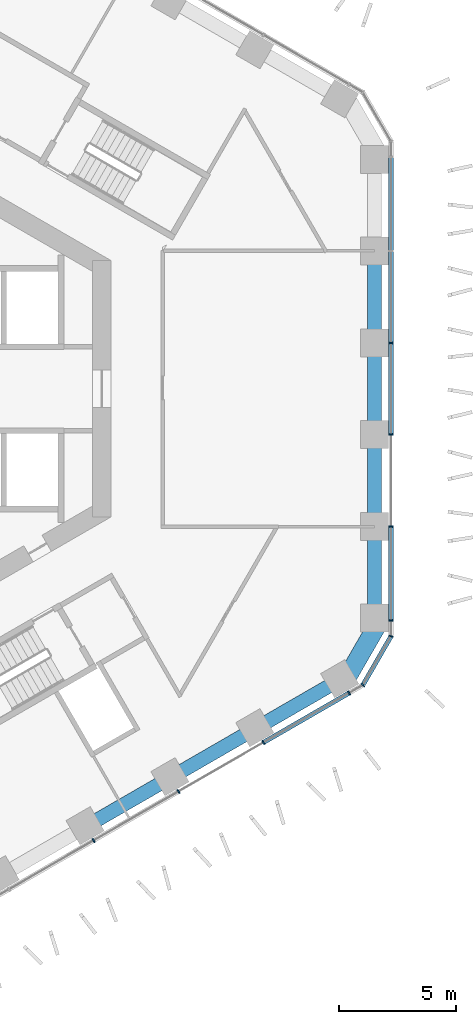
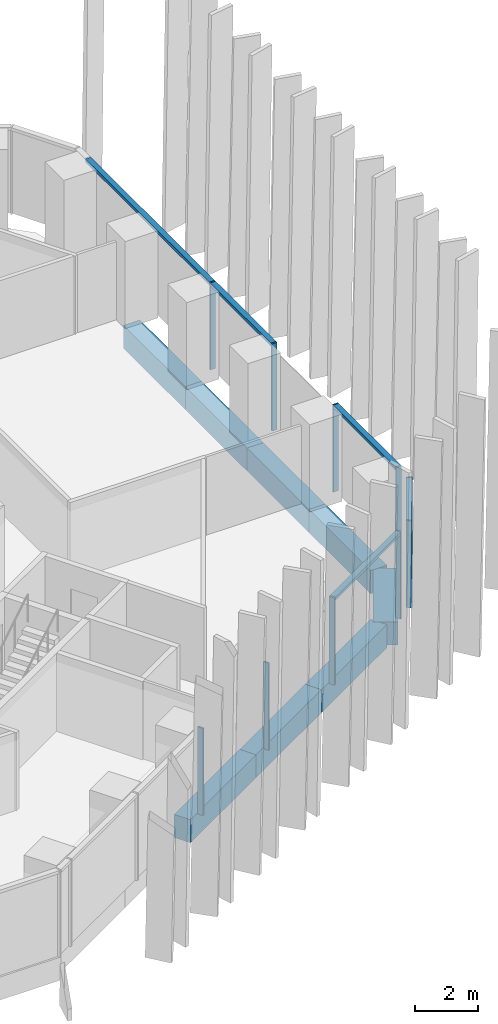
# One storey, part 5 of 19: 14 members, 8 beams, 3 elements without a shape of their own.
"""IFC4 building model written with IfcOpenShell, lengths in metres."""

from ifc_helpers import new_model, si_unit, direction, frame, origin, origin_2d, place, context, subcontext, project, spatial, rectangle, extrude, material, layer, layer_set, material_profile, profile_set, type_object, element, aggregate, save


model = new_model("IFC4")

# Units and contexts
model_context = context("Model", 3, precision=1e-05, world=origin(), true_north=direction((0.0, 1.0)))
body_context = subcontext(model_context, "Body", "Model", "MODEL_VIEW")
ifc_project = project(units=[si_unit("LENGTHUNIT", "METRE"), si_unit("AREAUNIT", "SQUARE_METRE"), si_unit("VOLUMEUNIT", "CUBIC_METRE"), si_unit("PLANEANGLEUNIT", "RADIAN"), si_unit("MASSUNIT", "GRAM", prefix="KILO")], contexts=[model_context])

# Site, building, storey
site_placement = place(None, origin())
site = spatial("IfcSite", under=ifc_project, at=site_placement, CompositionType="ELEMENT")
building_placement = place(site_placement, origin())
building = spatial("IfcBuilding", under=site, at=building_placement, Name="Ayvan Gate Tower", CompositionType="ELEMENT")
storey_placement = place(building_placement, frame((0.0, 0.0, 45.89990234375)))
storey = spatial("IfcBuildingStorey", under=building, at=storey_placement, Name="L11", CompositionType="ELEMENT", Elevation=45.89990234375)

# Beams
ifc_material_1 = material(Name="Concrete C40/50", Category="concrete")
ifc_material_profile_1 = material_profile(ifc_material_1, rectangle(XDim=0.800048828125, YDim=0.89990234375, at=origin_2d()), Name="RC 800x900")
ifc_profile_set_1 = profile_set([ifc_material_profile_1], Name="Concrete C40/50")
beam_type_1 = type_object("IfcBeamType", Name="Corner spandrel beam RC 800x900 C40/50", PredefinedType="BEAM", material=ifc_profile_set_1)
beam_1_placement = place(storey_placement, frame((19.47509765625, -12.5810546875, -0.7998046875), z_axis=(0.499990139034, 0.866031096941, 0.0), x_axis=(-0.866031096941, 0.499990139034, 0.0)))
element("IfcBeam", 1, at=beam_1_placement, inside=storey, type_object=beam_type_1, Name="SB-L11-36", PredefinedType="BEAM", context=body_context, shape_type="SweptSolid", body=[
    extrude(rectangle(XDim=0.800048828125, YDim=0.89990234375, at=origin_2d()), origin(), (0.0, 0.0, 1.0), 3.0),
])
ifc_material_profile_2 = material_profile(ifc_material_1, rectangle(XDim=0.60009765625, YDim=0.89990234375, at=origin_2d()), Name="RC 600x900")
ifc_profile_set_2 = profile_set([ifc_material_profile_2], Name="Concrete C40/50")
beam_type_2 = type_object("IfcBeamType", Name="Spandrel beam RC 600x900 C40/50", PredefinedType="BEAM", material=ifc_profile_set_2)
beam_2_placement = place(storey_placement, frame((20.78466796875, -9.872802734375, -0.7998046875), z_axis=(0.0, 1.0, 0.0), x_axis=(-1.0, 0.0, 0.0)))
element("IfcBeam", 2, at=beam_2_placement, inside=storey, type_object=beam_type_2, Name="SB-L11-1", PredefinedType="BEAM", context=body_context, shape_type="SweptSolid", body=[
    extrude(rectangle(XDim=0.60009765625, YDim=0.89990234375, at=origin_2d()), origin(), (0.0, 0.0, 1.0), 3.948974609375),
])
for number, where, z_axis, x_axis, name in (
    (3, (20.78466796875, -5.923828125, -0.7998046875), (0.0, 1.0, 0.0), (-1.0, 0.0, 0.0), "SB-L11-2"),
    (4, (20.78466796875, -1.974609375, -0.7998046875), (0.0, 1.0, 0.0), (-1.0, 0.0, 0.0), "SB-L11-3"),
    (5, (20.78466796875, 1.974609375, -0.7998046875), (0.0, 1.0, 0.0), (-1.0, 0.0, 0.0), "SB-L11-4"),
):
    element("IfcBeam", number, at=place(storey_placement, frame(where, z_axis=z_axis, x_axis=x_axis)), inside=storey, type_object=beam_type_2, Name=name, PredefinedType="BEAM", context=body_context, shape_type="SweptSolid", body=[
        extrude(rectangle(XDim=0.60009765625, YDim=0.89990234375, at=origin_2d()), origin(), (0.0, 0.0, 1.0), 3.94921875),
    ])
beam_3_placement = place(storey_placement, frame((8.40869140625, -18.750244140625, -0.7998046875), z_axis=(0.866027276312, 0.499996756672, 0.0), x_axis=(-0.499996756672, 0.866027276312, 0.0)))
element("IfcBeam", 6, at=beam_3_placement, inside=storey, type_object=beam_type_2, Name="SB-L11-33", PredefinedType="BEAM", context=body_context, shape_type="SweptSolid", body=[
    extrude(rectangle(XDim=0.60009765625, YDim=0.89990234375, at=origin_2d()), origin(), (0.0, 0.0, 1.0), 4.18603515625),
])
for number, where, z_axis, x_axis, name in (
    (7, (12.033935546875, -16.6572265625, -0.7998046875), (0.866002021773, 0.500040496645, 0.0), (-0.500040496645, 0.866002021773, 0.0), "SB-L11-34"),
    (8, (15.6591796875, -14.56396484375, -0.7998046875), (0.866041855584, 0.499971503564, 0.0), (-0.499971503564, 0.866041855584, 0.0), "SB-L11-35"),
):
    element("IfcBeam", number, at=place(storey_placement, frame(where, z_axis=z_axis, x_axis=x_axis)), inside=storey, type_object=beam_type_2, Name=name, PredefinedType="BEAM", context=body_context, shape_type="SweptSolid", body=[
        extrude(rectangle(XDim=0.60009765625, YDim=0.89990234375, at=origin_2d()), origin(), (0.0, 0.0, 1.0), 4.186279296875),
    ])

# Curtain wall, members
ifc_material_2 = material(Name="Bronze anodised aluminium", Category="aluminium")
ifc_layer_1 = layer(ifc_material_2, 0.199951171875)
ifc_layer_set_1 = layer_set([ifc_layer_1], Name="Bronze anodised aluminium")
curtain_wall_type_1 = type_object("IfcCurtainWallType", Name="Stick curtain wall CW-1", PredefinedType="NOTDEFINED", material=ifc_layer_set_1)
curtain_wall_1_placement = place(storey_placement, origin())
curtain_wall_1 = element("IfcCurtainWall", 9, at=curtain_wall_1_placement, inside=storey, type_object=curtain_wall_type_1, Name="Stick curtain wall CW-1 L11", PredefinedType="NOTDEFINED")
ifc_material_profile_3 = material_profile(ifc_material_2, rectangle(XDim=0.199951171875, YDim=0.06005859375, at=origin_2d()), Name="Stick curtain wall CW-1 mullion 200 x 60")
ifc_profile_set_3 = profile_set([ifc_material_profile_3], Name="Bronze anodised aluminium")
member_type_1 = type_object("IfcMemberType", Name="Stick curtain wall CW-1 mullion 200 x 60", PredefinedType="MULLION", material=ifc_profile_set_3)
member_1_placement = place(storey_placement, frame((8.74755859375, -19.3466796875, 0.0), z_axis=(0.0, 0.0, 1.0), x_axis=(0.5, -0.866025403784, 0.0)))
member_1 = element("IfcMember", 10, at=member_1_placement, type_object=member_type_1, Name="CW-1 mullion 3", PredefinedType="MULLION", context=body_context, shape_type="SweptSolid", body=[
    extrude(rectangle(XDim=0.199951171875, YDim=0.06005859375, at=origin_2d()), origin(), (0.0, 0.0, 1.0), 3.400146484375),
])
member_2_placement = place(storey_placement, frame((12.38134765625, -17.248779296875, 0.0), z_axis=(0.0, 0.0, 1.0), x_axis=(0.5, -0.866025403784, 0.0)))
member_2 = element("IfcMember", 11, at=member_2_placement, type_object=member_type_1, Name="CW-1 mullion 4", PredefinedType="MULLION", context=body_context, shape_type="SweptSolid", body=[
    extrude(rectangle(XDim=0.199951171875, YDim=0.06005859375, at=origin_2d()), origin(), (0.0, 0.0, 1.0), 3.400146484375),
])
member_3_placement = place(storey_placement, frame((16.015380859375, -15.150634765625, 0.0), z_axis=(0.0, 0.0, 1.0), x_axis=(0.5, -0.866025403784, 0.0)))
member_3 = element("IfcMember", 12, at=member_3_placement, type_object=member_type_1, Name="CW-1 mullion 5", PredefinedType="MULLION", context=body_context, shape_type="SweptSolid", body=[
    extrude(rectangle(XDim=0.199951171875, YDim=0.06005859375, at=origin_2d()), origin(), (0.0, 0.0, 1.0), 3.400146484375),
])
member_4_placement = place(storey_placement, frame((19.6884765625, -13.030029296875, 0.0), z_axis=(0.0, 0.0, 1.0), x_axis=(0.5, -0.866025403784, 0.0)))
member_4 = element("IfcMember", 13, at=member_4_placement, type_object=member_type_1, Name="CW-1 mullion 6", PredefinedType="MULLION", context=body_context, shape_type="SweptSolid", body=[
    extrude(rectangle(XDim=0.199951171875, YDim=0.06005859375, at=origin_2d()), origin(), (0.0, 0.0, 1.0), 3.400146484375),
])

curtain_wall_2_placement = place(storey_placement, origin())
curtain_wall_2 = element("IfcCurtainWall", 14, at=curtain_wall_2_placement, inside=storey, type_object=curtain_wall_type_1, Name="Stick curtain wall CW-1 L11", PredefinedType="NOTDEFINED")
member_5_placement = place(storey_placement, frame((21.484619140625, -9.9189453125, 0.0), z_axis=(0.0, 0.0, 1.0), x_axis=(1.0, 0.0, 0.0)))
member_5 = element("IfcMember", 15, at=member_5_placement, type_object=member_type_1, Name="CW-1 mullion 1", PredefinedType="MULLION", context=body_context, shape_type="SweptSolid", body=[
    extrude(rectangle(XDim=0.199951171875, YDim=0.06005859375, at=origin_2d()), origin(), (0.0, 0.0, 1.0), 3.400146484375),
])
member_6_placement = place(storey_placement, frame((21.484619140625, -5.89404296875, 0.0), z_axis=(0.0, 0.0, 1.0), x_axis=(1.0, 0.0, 0.0)))
member_6 = element("IfcMember", 16, at=member_6_placement, type_object=member_type_1, Name="CW-1 mullion 2", PredefinedType="MULLION", context=body_context, shape_type="SweptSolid", body=[
    extrude(rectangle(XDim=0.199951171875, YDim=0.06005859375, at=origin_2d()), origin(), (0.0, 0.0, 1.0), 3.400146484375),
])
member_7_placement = place(storey_placement, frame((21.484619140625, -1.96484375, 0.0), z_axis=(0.0, 0.0, 1.0), x_axis=(1.0, 0.0, 0.0)))
member_7 = element("IfcMember", 17, at=member_7_placement, type_object=member_type_1, Name="CW-1 mullion 3", PredefinedType="MULLION", context=body_context, shape_type="SweptSolid", body=[
    extrude(rectangle(XDim=0.199951171875, YDim=0.06005859375, at=origin_2d()), origin(), (0.0, 0.0, 1.0), 3.400146484375),
])
member_8_placement = place(storey_placement, frame((21.484619140625, 1.964111328125, 0.0), z_axis=(0.0, 0.0, 1.0), x_axis=(1.0, 0.0, 0.0)))
member_8 = element("IfcMember", 18, at=member_8_placement, type_object=member_type_1, Name="CW-1 mullion 4", PredefinedType="MULLION", context=body_context, shape_type="SweptSolid", body=[
    extrude(rectangle(XDim=0.199951171875, YDim=0.06005859375, at=origin_2d()), origin(), (0.0, 0.0, 1.0), 3.400146484375),
])

# Member
ifc_material_profile_4 = material_profile(ifc_material_2, rectangle(XDim=0.199951171875, YDim=0.1201171875, at=origin_2d()), Name="Stick curtain wall CW-1 transom 200 x 120")
ifc_profile_set_4 = profile_set([ifc_material_profile_4], Name="Bronze anodised aluminium")
member_type_2 = type_object("IfcMemberType", Name="Stick curtain wall CW-1 transom 200 x 120", PredefinedType="USERDEFINED", material=ifc_profile_set_4)
member_9_placement = place(storey_placement, frame((16.041259765625, -15.1357421875, 3.340087890625), z_axis=(0.866026299211, 0.499998449073, 0.0), x_axis=(-0.499998449073, 0.866026299211, 0.0)))
member_9 = element("IfcMember", 19, at=member_9_placement, type_object=member_type_2, Name="CW-1 transom 2", ObjectType="TRANSOM", PredefinedType="USERDEFINED", context=body_context, shape_type="SweptSolid", body=[
    extrude(rectangle(XDim=0.199951171875, YDim=0.1201171875, at=origin_2d()), origin(), (0.0, 0.0, 1.0), 4.21142578125),
])

aggregate(curtain_wall_1, [member_1, member_2, member_3, member_4, member_9])

member_10_placement = place(storey_placement, frame((21.484619140625, -9.9189453125, 3.340087890625), z_axis=(0.0, 1.0, 0.0), x_axis=(-1.0, 0.0, 0.0)))
member_10 = element("IfcMember", 20, at=member_10_placement, type_object=member_type_2, Name="CW-1 transom 1", ObjectType="TRANSOM", PredefinedType="USERDEFINED", context=body_context, shape_type="SweptSolid", body=[
    extrude(rectangle(XDim=0.199951171875, YDim=0.1201171875, at=origin_2d()), origin(), (0.0, 0.0, 1.0), 3.9951171875),
])

member_11_placement = place(storey_placement, frame((21.484619140625, -1.934814453125, 3.340087890625), z_axis=(0.0, 1.0, 0.0), x_axis=(-1.0, 0.0, 0.0)))
member_11 = element("IfcMember", 21, at=member_11_placement, type_object=member_type_2, Name="CW-1 transom 2", ObjectType="TRANSOM", PredefinedType="USERDEFINED", context=body_context, shape_type="SweptSolid", body=[
    extrude(rectangle(XDim=0.199951171875, YDim=0.1201171875, at=origin_2d()), origin(), (0.0, 0.0, 1.0), 11.853759765625),
])

aggregate(curtain_wall_2, [member_5, member_6, member_7, member_8, member_10, member_11])

# Curtain wall, members
ifc_layer_2 = layer(ifc_material_2, 0.199951171875)
ifc_layer_set_2 = layer_set([ifc_layer_2], Name="Bronze anodised aluminium")
curtain_wall_type_2 = type_object("IfcCurtainWallType", Name="Stick curtain wall CW-6", PredefinedType="NOTDEFINED", material=ifc_layer_set_2)
curtain_wall_3_placement = place(storey_placement, origin())
curtain_wall_3 = element("IfcCurtainWall", 22, at=curtain_wall_3_placement, inside=storey, type_object=curtain_wall_type_2, Name="Stick curtain wall CW-6 L11", PredefinedType="NOTDEFINED")
ifc_material_profile_5 = material_profile(ifc_material_2, rectangle(XDim=0.199951171875, YDim=0.050048828125, at=origin_2d()), Name="Stick curtain wall CW-6 mullion 200 x 50")
ifc_profile_set_5 = profile_set([ifc_material_profile_5], Name="Bronze anodised aluminium")
member_type_3 = type_object("IfcMemberType", Name="Stick curtain wall CW-6 mullion 200 x 50", PredefinedType="MULLION", material=ifc_profile_set_5)
member_12_placement = place(storey_placement, frame((20.27734375, -12.68994140625, 0.0), z_axis=(0.0, 0.0, 1.0), x_axis=(0.707106781187, -0.707106781187, 0.0)))
member_12 = element("IfcMember", 23, at=member_12_placement, type_object=member_type_3, Name="CW-6 mullion 2", PredefinedType="MULLION", context=body_context, shape_type="SweptSolid", body=[
    extrude(rectangle(XDim=0.199951171875, YDim=0.050048828125, at=origin_2d()), origin(), (0.0, 0.0, 1.0), 3.400146484375),
])
member_13_placement = place(storey_placement, frame((21.484619140625, -10.598876953125, 0.0), z_axis=(0.0, 0.0, 1.0), x_axis=(0.965925826289, -0.258819045103, 0.0)))
member_13 = element("IfcMember", 24, at=member_13_placement, type_object=member_type_3, Name="CW-6 mullion 3", PredefinedType="MULLION", context=body_context, shape_type="SweptSolid", body=[
    extrude(rectangle(XDim=0.199951171875, YDim=0.050048828125, at=origin_2d()), origin(), (0.0, 0.0, 1.0), 3.400146484375),
])
ifc_material_profile_6 = material_profile(ifc_material_2, rectangle(XDim=0.199951171875, YDim=0.1201171875, at=origin_2d()), Name="Stick curtain wall CW-6 transom 200 x 120")
ifc_profile_set_6 = profile_set([ifc_material_profile_6], Name="Bronze anodised aluminium")
member_type_4 = type_object("IfcMemberType", Name="Stick curtain wall CW-6 transom 200 x 120", PredefinedType="USERDEFINED", material=ifc_profile_set_6)
member_14_placement = place(storey_placement, frame((20.289794921875, -12.66845703125, 3.340087890625), z_axis=(0.500014398087, 0.866017090885, 0.0), x_axis=(-0.866017090885, 0.500014398087, 0.0)))
member_14 = element("IfcMember", 25, at=member_14_placement, type_object=member_type_4, Name="CW-6 transom 2", ObjectType="TRANSOM", PredefinedType="USERDEFINED", context=body_context, shape_type="SweptSolid", body=[
    extrude(rectangle(XDim=0.199951171875, YDim=0.1201171875, at=origin_2d()), origin(), (0.0, 0.0, 1.0), 2.36474609375),
])
aggregate(curtain_wall_3, [member_12, member_13, member_14])

save(model, "model.ifc")
